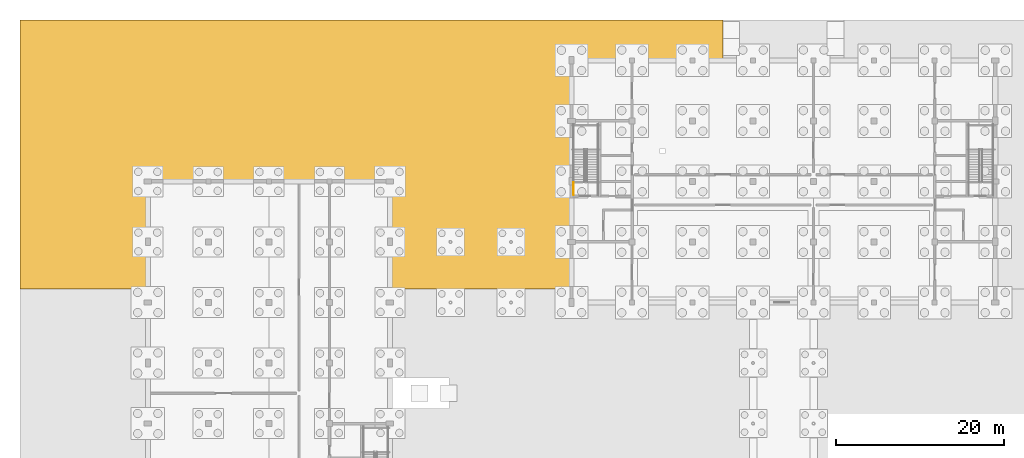
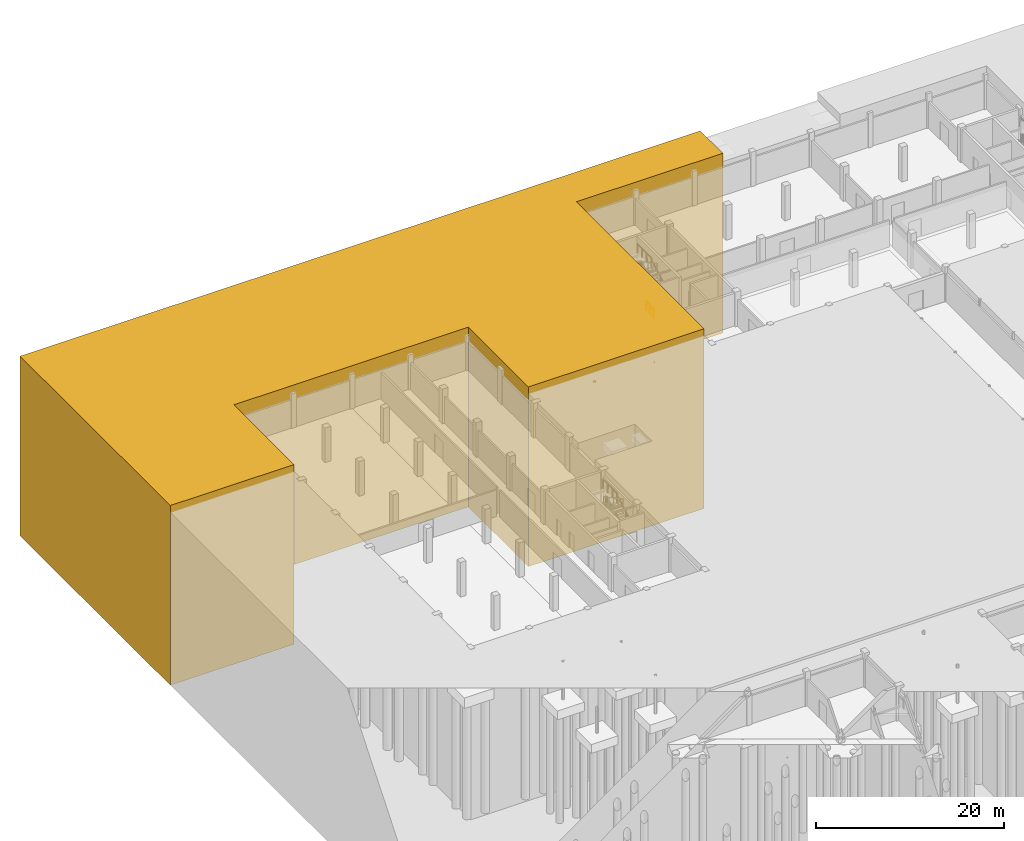
# One storey, part 43 of 51: 1 covering, 1 railing.
"""IFC4 building model written with IfcOpenShell, lengths in metres."""

from ifc_helpers import new_model, si_unit, direction, frame, origin, origin_2d, place, context, subcontext, project, spatial, polyline, circle, outline, extrude, material, layer, layer_set, type_object, element, save


model = new_model("IFC4")

# Units and contexts
model_context = context("Model", 3, precision=1e-05, world=origin(), true_north=direction((0.0, 1.0)))
body_context = subcontext(model_context, "Body", "Model", "MODEL_VIEW")
ifc_project = project(units=[si_unit("LENGTHUNIT", "METRE"), si_unit("AREAUNIT", "SQUARE_METRE"), si_unit("VOLUMEUNIT", "CUBIC_METRE"), si_unit("PLANEANGLEUNIT", "RADIAN"), si_unit("MASSUNIT", "GRAM", prefix="KILO")], contexts=[model_context])

# Site, building, storey
site_placement = place(None, origin())
site = spatial("IfcSite", under=ifc_project, at=site_placement, CompositionType="ELEMENT")
building_placement = place(site_placement, origin())
building = spatial("IfcBuilding", under=site, at=building_placement, Name="Zlatovets Crest Museum", CompositionType="ELEMENT")
storey_placement = place(building_placement, frame((0.0, 0.0, -4.5)))
storey = spatial("IfcBuildingStorey", under=building, at=storey_placement, Name="B1", CompositionType="ELEMENT", Elevation=-4.5)

# Covering
ifc_material_1 = material(Name="Bush-hammered Vratsa stone court paving", Category="masonry")
ifc_layer = layer(ifc_material_1, 0.080078125)
ifc_layer_set = layer_set([ifc_layer], Name="Bush-hammered Vratsa stone court paving")
covering_type = type_object("IfcCoveringType", Name="SitePaving_PV01", PredefinedType="USERDEFINED", material=ifc_layer_set)
covering_placement = place(storey_placement, frame((0.0, 0.0, -18.0)))
element("IfcCovering", 1, at=covering_placement, inside=storey, type_object=covering_type, Name="Stepped Vratsa Stone Hillside Plinth NORTH-CREST", ObjectType="PAVING", PredefinedType="USERDEFINED", context=body_context, shape_type="SweptSolid", body=[
    extrude(outline(polyline([(-8.0, 120.0), (75.60009765625, 120.0), (75.60009765625, 115.199951171875), (57.60009765625, 115.199951171875), (57.60009765625, 88.0), (36.0, 88.0), (36.0, 100.800048828125), (7.199951171875, 100.800048828125), (7.199951171875, 88.0), (-8.0, 88.0), (-8.0, 120.0)])), origin(), (0.0, 0.0, 1.0), 23.35009765625),
])

# Railing
ifc_material_2 = material(Name="Painted steel safety guardrail", Category="steel")
railing_type = type_object("IfcRailingType", Name="StairGuard_SG01", PredefinedType="GUARDRAIL", material=ifc_material_2)
railing_placement = place(storey_placement, frame((57.85009765625, 99.199951171875, 0.0)))
element("IfcRailing", 2, at=railing_placement, inside=storey, type_object=railing_type, Name="B1 ST1 stair guard 8", PredefinedType="GUARDRAIL", context=body_context, shape_type="SweptSolid", body=[
    extrude(circle(Radius=0.02392578125, at=origin_2d()), frame((0.0, 0.0, 1.076171875), z_axis=(0.0, 1.0, 0.0), x_axis=(-1.0, 0.0, 0.0)), (0.0, 0.0, 1.0), 1.5),
    extrude(circle(Radius=0.02099609375, at=origin_2d()), origin(), (0.0, 0.0, 1.0), 1.052001953125),
    extrude(circle(Radius=0.02099609375, at=origin_2d()), frame((0.0, 0.75, 0.0)), (0.0, 0.0, 1.0), 1.052001953125),
    extrude(circle(Radius=0.02099609375, at=origin_2d()), frame((0.0, 1.5, 0.0)), (0.0, 0.0, 1.0), 1.052001953125),
])

save(model, "model.ifc")
